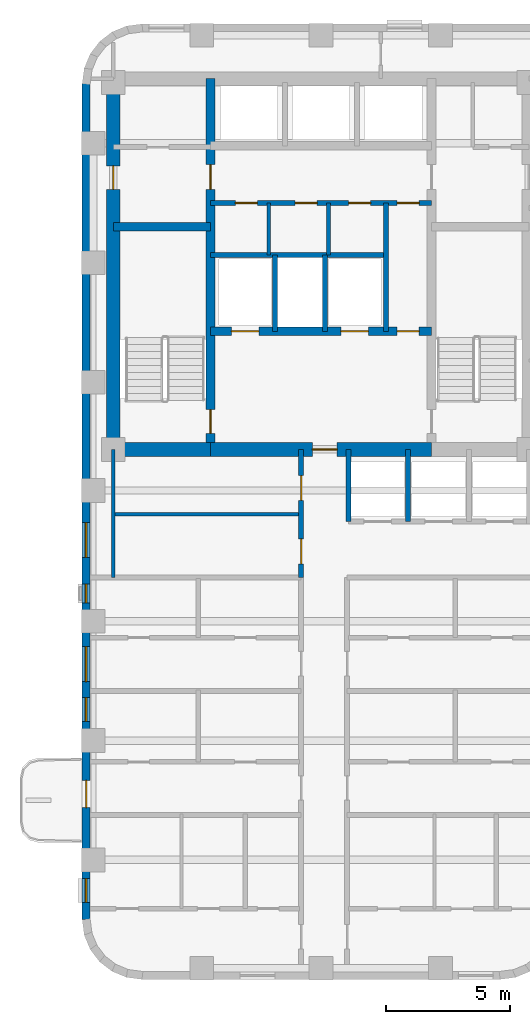
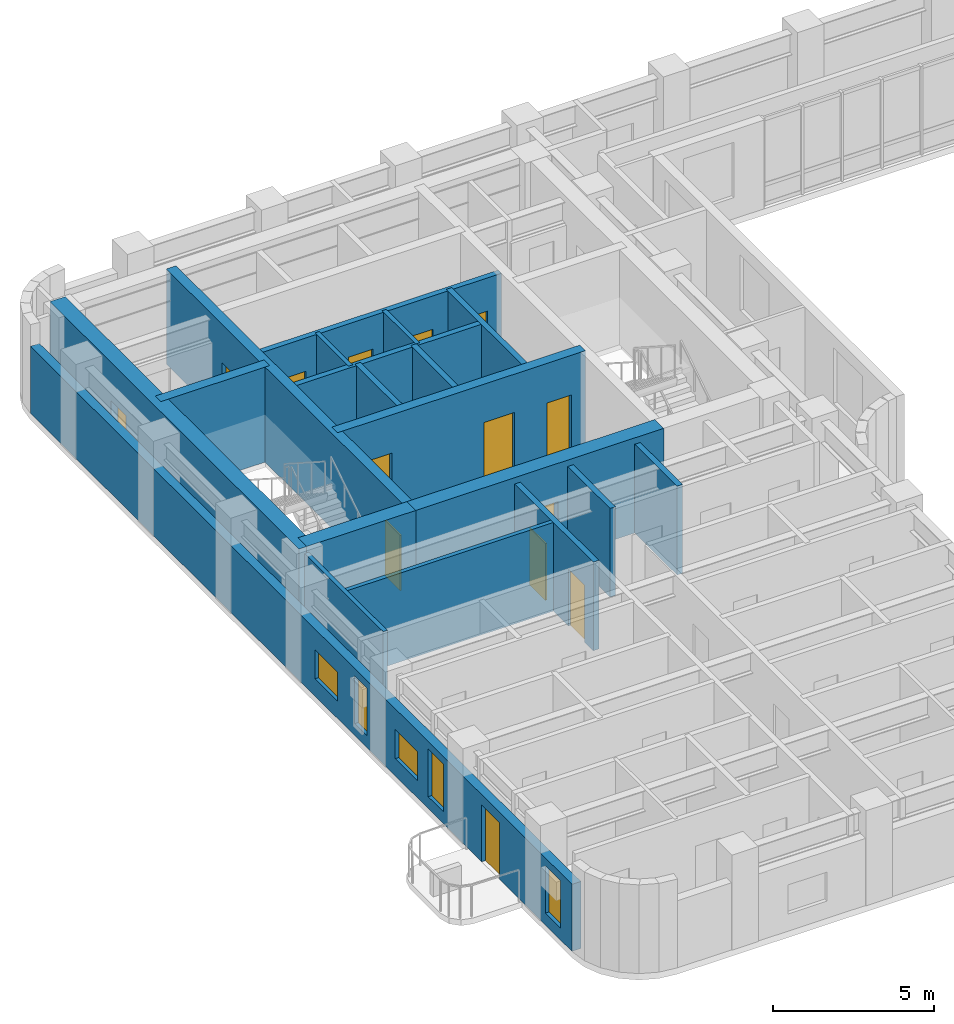
# One storey, part 5 of 11: 19 walls, 14 doors, 5 windows, 19 openings.
"""IFC4 building model written with IfcOpenShell, lengths in metres."""

from ifc_helpers import new_model, si_unit, direction, frame, frame_2d, origin, place, context, subcontext, project, spatial, rectangle, extrude, material, layer, layer_set, type_object, element, fill, save


model = new_model("IFC4")

# Units and contexts
model_context = context("Model", 3, precision=1e-05, world=origin(), true_north=direction((0.0, 1.0)))
body_context = subcontext(model_context, "Body", "Model", "MODEL_VIEW")
ifc_project = project(units=[si_unit("LENGTHUNIT", "METRE"), si_unit("AREAUNIT", "SQUARE_METRE"), si_unit("VOLUMEUNIT", "CUBIC_METRE"), si_unit("PLANEANGLEUNIT", "RADIAN"), si_unit("MASSUNIT", "GRAM", prefix="KILO")], contexts=[model_context])

# Site, building, storey
site_placement = place(None, origin())
site = spatial("IfcSite", under=ifc_project, at=site_placement, CompositionType="ELEMENT")
building_placement = place(site_placement, origin())
building = spatial("IfcBuilding", under=site, at=building_placement, Name="Orvandelia Arch Residences", CompositionType="ELEMENT")
storey_placement = place(building_placement, frame((0.0, 0.0, 172.0)))
storey = spatial("IfcBuildingStorey", under=building, at=storey_placement, Name="L45", CompositionType="ELEMENT", Elevation=172.0)

# Wall, openings, doors
ifc_material_1 = material(Name="Concrete C50/60", Category="concrete")
ifc_layer_1 = layer(ifc_material_1, 0.35009765625, Name="Concrete C50/60", Category="concrete")
ifc_layer_set_1 = layer_set([ifc_layer_1], Name="Concrete C50/60")
wall_type_1 = type_object("IfcWallType", Name="WL-CORE-350", PredefinedType="SHEAR", material=ifc_layer_set_1)
wall_1_placement = place(storey_placement, frame((9.9599609375, 30.89990234375, 0.0), z_axis=(0.0, 0.0, 1.0), x_axis=(0.0, 1.0, 0.0)))
wall_1 = element("IfcWall", 1, at=wall_1_placement, inside=storey, type_object=wall_type_1, Name="Core Shear Wall L45-WEB1", PredefinedType="SHEAR", context=body_context, shape_type="SweptSolid", body=[
    extrude(rectangle(XDim=14.900146484375, YDim=0.35009765625, at=frame_2d((7.4501953125, 0.0))), origin(), (0.0, 0.0, 1.0), 3.60009765625),
])
opening_1_placement = place(wall_1_placement, frame((0.64990234375, 0.0, 0.0)))
opening_1 = element("IfcOpeningElement", 2, at=opening_1_placement, cuts=wall_1, Name="Opening D7", PredefinedType="OPENING", context=body_context, shape_type="SweptSolid", body=[
    extrude(rectangle(XDim=0.949951171875, YDim=2.10009765625, at=frame_2d((0.47509765625, 1.050048828125))), frame((0.0, 0.18505859375, 0.0), z_axis=(0.0, -1.0, 0.0), x_axis=(1.0, 0.0, 0.0)), (0.0, 0.0, 1.0), 0.3701171875),
])
opening_2_placement = place(wall_1_placement, frame((10.449951171875, 0.0, 0.0)))
opening_2 = element("IfcOpeningElement", 3, at=opening_2_placement, cuts=wall_1, Name="Opening D6", PredefinedType="OPENING", context=body_context, shape_type="SweptSolid", body=[
    extrude(rectangle(XDim=1.0, YDim=2.14990234375, at=frame_2d((0.5, 1.074951171875))), frame((0.0, 0.18505859375, 0.0), z_axis=(0.0, -1.0, 0.0), x_axis=(1.0, 0.0, 0.0)), (0.0, 0.0, 1.0), 0.3701171875),
])
ifc_material_2 = material(Name="Smokeproof Painted Steel Fire Door", Category="steel")
door_type_1 = type_object("IfcDoorType", Name="DR-FD60-1000", OperationType="NOTDEFINED", PredefinedType="DOOR", material=ifc_material_2)
door_1_placement = place(opening_2_placement, origin())
door_1 = element("IfcDoor", 4, at=door_1_placement, inside=storey, type_object=door_type_1, Name="High-Rise Lift Hall West Vestibule Door L45", OperationType="SINGLE_SWING_LEFT", OverallHeight=2.14990234375, OverallWidth=1.0, PredefinedType="DOOR", context=body_context, shape_type="SweptSolid", body=[
    extrude(rectangle(XDim=1.0, YDim=2.14990234375, at=frame_2d((0.5, 1.074951171875))), frame((0.0, 0.02490234375, 0.0), z_axis=(0.0, -1.0, 0.0), x_axis=(1.0, 0.0, 0.0)), (0.0, 0.0, 1.0), 0.050048828125),
])
fill(opening_2, door_1)
ifc_material_3 = material(Name="Pressurised Stairwell Fire Door")
door_type_2 = type_object("IfcDoorType", Name="DR-STAIR-950", OperationType="NOTDEFINED", PredefinedType="DOOR", material=ifc_material_3)
door_2_placement = place(opening_1_placement, origin())
door_2 = element("IfcDoor", 5, at=door_2_placement, inside=storey, type_object=door_type_2, Name="Stairwell ST-1 Fire Door L45", OperationType="SINGLE_SWING_LEFT", OverallHeight=2.10009765625, OverallWidth=0.949951171875, PredefinedType="DOOR", context=body_context, shape_type="SweptSolid", body=[
    extrude(rectangle(XDim=0.949951171875, YDim=2.10009765625, at=frame_2d((0.47509765625, 1.050048828125))), frame((0.0, 0.02490234375, 0.0), z_axis=(0.0, -1.0, 0.0), x_axis=(1.0, 0.0, 0.0)), (0.0, 0.0, 1.0), 0.050048828125),
])
fill(opening_1, door_2)

# Wall
wall_2_placement = place(storey_placement, frame((6.050048828125, 39.85009765625, 0.0), z_axis=(0.0, 0.0, 1.0), x_axis=(1.0, 0.0, 0.0)))
element("IfcWall", 6, at=wall_2_placement, inside=storey, type_object=wall_type_1, Name="Core Shear Wall L45-HZ1", PredefinedType="SHEAR", context=body_context, shape_type="SweptSolid", body=[
    extrude(rectangle(XDim=3.909912109375, YDim=0.35009765625, at=frame_2d((1.955078125, 0.0))), origin(), (0.0, 0.0, 1.0), 3.60009765625),
])

# Wall, openings, doors
wall_3_placement = place(storey_placement, frame((9.9599609375, 35.64990234375, 0.0), z_axis=(0.0, 0.0, 1.0), x_axis=(1.0, 0.0, 0.0)))
wall_3 = element("IfcWall", 7, at=wall_3_placement, inside=storey, type_object=wall_type_1, Name="Core Shear Wall L45-HZ3", PredefinedType="SHEAR", context=body_context, shape_type="SweptSolid", body=[
    extrude(rectangle(XDim=8.880126953125, YDim=0.35009765625, at=frame_2d((4.43994140625, 0.0))), origin(), (0.0, 0.0, 1.0), 3.60009765625),
])
opening_3_placement = place(wall_3_placement, frame((0.840087890625, 0.0, 0.0)))
opening_3 = element("IfcOpeningElement", 8, at=opening_3_placement, cuts=wall_3, Name="Opening FLD", PredefinedType="OPENING", context=body_context, shape_type="SweptSolid", body=[
    extrude(rectangle(XDim=1.10009765625, YDim=2.14990234375, at=frame_2d((0.550048828125, 1.074951171875))), frame((0.0, 0.18505859375, 0.0), z_axis=(0.0, -1.0, 0.0), x_axis=(1.0, 0.0, 0.0)), (0.0, 0.0, 1.0), 0.3701171875),
])
opening_4_placement = place(wall_3_placement, frame((5.239990234375, 0.0, 0.0)))
opening_4 = element("IfcOpeningElement", 9, at=opening_4_placement, cuts=wall_3, Name="Opening FLD", PredefinedType="OPENING", context=body_context, shape_type="SweptSolid", body=[
    extrude(rectangle(XDim=1.10009765625, YDim=2.14990234375, at=frame_2d((0.550048828125, 1.074951171875))), frame((0.0, 0.18505859375, 0.0), z_axis=(0.0, -1.0, 0.0), x_axis=(1.0, 0.0, 0.0)), (0.0, 0.0, 1.0), 0.3701171875),
])
opening_5_placement = place(wall_3_placement, frame((7.5, 0.0, 0.0)))
opening_5 = element("IfcOpeningElement", 10, at=opening_5_placement, cuts=wall_3, Name="Opening D5", PredefinedType="OPENING", context=body_context, shape_type="SweptSolid", body=[
    extrude(rectangle(XDim=0.8798828125, YDim=2.10009765625, at=frame_2d((0.43994140625, 1.050048828125))), frame((0.0, 0.18505859375, 0.0), z_axis=(0.0, -1.0, 0.0), x_axis=(1.0, 0.0, 0.0)), (0.0, 0.0, 1.0), 0.3701171875),
])
ifc_material_4 = material(Name="Firefighting Lift Stainless Sliding Door")
door_type_3 = type_object("IfcDoorType", Name="DR-FLFT-1100", OperationType="NOTDEFINED", PredefinedType="DOOR", material=ifc_material_4)
door_3_placement = place(opening_3_placement, origin())
door_3 = element("IfcDoor", 11, at=door_3_placement, inside=storey, type_object=door_type_3, Name="Firefighting Lift Landing Door FLD-FL1-L45", OperationType="SLIDING_TO_LEFT", OverallHeight=2.14990234375, OverallWidth=1.10009765625, PredefinedType="DOOR", context=body_context, shape_type="SweptSolid", body=[
    extrude(rectangle(XDim=1.10009765625, YDim=2.14990234375, at=frame_2d((0.550048828125, 1.074951171875))), frame((0.0, 0.02490234375, 0.0), z_axis=(0.0, -1.0, 0.0), x_axis=(1.0, 0.0, 0.0)), (0.0, 0.0, 1.0), 0.050048828125),
])
fill(opening_3, door_3)
door_4_placement = place(opening_4_placement, origin())
door_4 = element("IfcDoor", 12, at=door_4_placement, inside=storey, type_object=door_type_3, Name="Firefighting Lift Landing Door FLD-FL2-L45", OperationType="SLIDING_TO_RIGHT", OverallHeight=2.14990234375, OverallWidth=1.10009765625, PredefinedType="DOOR", context=body_context, shape_type="SweptSolid", body=[
    extrude(rectangle(XDim=1.10009765625, YDim=2.14990234375, at=frame_2d((0.550048828125, 1.074951171875))), frame((0.0, 0.02490234375, 0.0), z_axis=(0.0, -1.0, 0.0), x_axis=(1.0, 0.0, 0.0)), (0.0, 0.0, 1.0), 0.050048828125),
])
fill(opening_4, door_4)
ifc_material_5 = material(Name="Painted Galvanised Steel Service Door", Category="steel")
door_type_4 = type_object("IfcDoorType", Name="DR-SRV-880", OperationType="NOTDEFINED", PredefinedType="DOOR", material=ifc_material_5)
door_5_placement = place(opening_5_placement, origin())
door_5 = element("IfcDoor", 13, at=door_5_placement, inside=storey, type_object=door_type_4, Name="Core Stairway Passage South Fire Door L45", OperationType="SINGLE_SWING_LEFT", OverallHeight=2.10009765625, OverallWidth=0.8798828125, PredefinedType="DOOR", context=body_context, shape_type="SweptSolid", body=[
    extrude(rectangle(XDim=0.8798828125, YDim=2.10009765625, at=frame_2d((0.43994140625, 1.050048828125))), frame((0.0, 0.02490234375, 0.0), z_axis=(0.0, -1.0, 0.0), x_axis=(1.0, 0.0, 0.0)), (0.0, 0.0, 1.0), 0.050048828125),
])
fill(opening_5, door_5)

# Wall, opening, door
ifc_material_6 = material(Name="Concrete C60/75", Category="concrete")
ifc_layer_2 = layer(ifc_material_6, 0.550048828125, Name="Concrete C60/75", Category="concrete")
ifc_layer_set_2 = layer_set([ifc_layer_2], Name="Concrete C60/75")
wall_type_2 = type_object("IfcWallType", Name="WL-CORE-550", PredefinedType="SHEAR", material=ifc_layer_set_2)
wall_4_placement = place(storey_placement, frame((6.050048828125, 30.625, 0.0), z_axis=(0.0, 0.0, 1.0), x_axis=(0.0, 1.0, 0.0)))
wall_4 = element("IfcWall", 14, at=wall_4_placement, inside=storey, type_object=wall_type_2, Name="Core Shear Wall L45-W", PredefinedType="SHEAR", context=body_context, shape_type="SweptSolid", body=[
    extrude(rectangle(XDim=15.449951171875, YDim=0.550048828125, at=frame_2d((7.72509765625, 0.0))), origin(), (0.0, 0.0, 1.0), 3.60009765625),
])
opening_6_placement = place(wall_4_placement, frame((10.72509765625, 0.0, 0.0)))
opening_6 = element("IfcOpeningElement", 15, at=opening_6_placement, cuts=wall_4, Name="Opening D2", PredefinedType="OPENING", context=body_context, shape_type="SweptSolid", body=[
    extrude(rectangle(XDim=0.949951171875, YDim=2.14990234375, at=frame_2d((0.47509765625, 1.074951171875))), frame((0.0, 0.28515625, 0.0), z_axis=(0.0, -1.0, 0.0), x_axis=(1.0, 0.0, 0.0)), (0.0, 0.0, 1.0), 0.570068359375),
])
ifc_material_7 = material(Name="Solid-Core Timber Interior Fire Door", Category="wood")
door_type_5 = type_object("IfcDoorType", Name="DR-APT-950", OperationType="NOTDEFINED", PredefinedType="DOOR", material=ifc_material_7)
door_6_placement = place(opening_6_placement, origin())
door_6 = element("IfcDoor", 16, at=door_6_placement, inside=storey, type_object=door_type_5, Name="West Viewing Study Door L45", OperationType="SINGLE_SWING_RIGHT", OverallHeight=2.14990234375, OverallWidth=0.949951171875, PredefinedType="DOOR", context=body_context, shape_type="SweptSolid", body=[
    extrude(rectangle(XDim=0.949951171875, YDim=2.14990234375, at=frame_2d((0.47509765625, 1.074951171875))), frame((0.0, 0.02490234375, 0.0), z_axis=(0.0, -1.0, 0.0), x_axis=(1.0, 0.0, 0.0)), (0.0, 0.0, 1.0), 0.050048828125),
])
fill(opening_6, door_6)

# Wall
wall_5_placement = place(storey_placement, frame((6.050048828125, 30.89990234375, 0.0), z_axis=(0.0, 0.0, 1.0), x_axis=(1.0, 0.0, 0.0)))
element("IfcWall", 17, at=wall_5_placement, inside=storey, type_object=wall_type_2, Name="Core Shear Wall L45-SW", PredefinedType="SHEAR", context=body_context, shape_type="SweptSolid", body=[
    extrude(rectangle(XDim=3.909912109375, YDim=0.550048828125, at=frame_2d((1.955078125, 0.0))), origin(), (0.0, 0.0, 1.0), 3.60009765625),
])

# Wall, opening, door
wall_6_placement = place(storey_placement, frame((9.9599609375, 30.89990234375, 0.0), z_axis=(0.0, 0.0, 1.0), x_axis=(1.0, 0.0, 0.0)))
wall_6 = element("IfcWall", 18, at=wall_6_placement, inside=storey, type_object=wall_type_2, Name="Core Shear Wall L45-SM", PredefinedType="SHEAR", context=body_context, shape_type="SweptSolid", body=[
    extrude(rectangle(XDim=8.880126953125, YDim=0.550048828125, at=frame_2d((4.43994140625, 0.0))), origin(), (0.0, 0.0, 1.0), 3.60009765625),
])
opening_7_placement = place(wall_6_placement, frame((4.090087890625, 0.0, 0.0)))
opening_7 = element("IfcOpeningElement", 19, at=opening_7_placement, cuts=wall_6, Name="Opening D6", PredefinedType="OPENING", context=body_context, shape_type="SweptSolid", body=[
    extrude(rectangle(XDim=1.0, YDim=2.14990234375, at=frame_2d((0.5, 1.074951171875))), frame((0.0, 0.28515625, 0.0), z_axis=(0.0, -1.0, 0.0), x_axis=(1.0, 0.0, 0.0)), (0.0, 0.0, 1.0), 0.570068359375),
])
door_7_placement = place(opening_7_placement, origin())
door_7 = element("IfcDoor", 20, at=door_7_placement, inside=storey, type_object=door_type_1, Name="Firefighting Lobby Smokeproof Door L45", OperationType="SINGLE_SWING_LEFT", OverallHeight=2.14990234375, OverallWidth=1.0, PredefinedType="DOOR", context=body_context, shape_type="SweptSolid", body=[
    extrude(rectangle(XDim=1.0, YDim=2.14990234375, at=frame_2d((0.5, 1.074951171875))), frame((0.0, 0.02490234375, 0.0), z_axis=(0.0, -1.0, 0.0), x_axis=(1.0, 0.0, 0.0)), (0.0, 0.0, 1.0), 0.050048828125),
])
fill(opening_7, door_7)

# Wall, openings, door, windows
ifc_material_8 = material(Name="Precast concrete C40/50", Category="concrete")
ifc_layer_3 = layer(ifc_material_8, 0.320068359375, Name="Precast concrete C40/50", Category="concrete")
ifc_layer_set_3 = layer_set([ifc_layer_3], Name="Precast concrete C40/50")
wall_type_3 = type_object("IfcWallType", Name="WL-EXT-STONE-320", PredefinedType="STANDARD", material=ifc_layer_set_3)
wall_7_placement = place(storey_placement, frame((4.9599609375, 12.0, 0.0), z_axis=(0.0, 0.0, 1.0), x_axis=(0.0, 1.0, 0.0)))
wall_7 = element("IfcWall", 21, at=wall_7_placement, inside=storey, type_object=wall_type_3, Name="Coral-Limestone Precast Facade Wall L45-046", PredefinedType="STANDARD", context=body_context, shape_type="SweptSolid", body=[
    extrude(rectangle(XDim=33.60009765625, YDim=0.320068359375, at=frame_2d((16.800048828125, 0.0))), origin(), (0.0, 0.0, 1.0), 2.5400390625),
])
opening_8_placement = place(wall_7_placement, frame((4.5, 0.0, 0.0)))
opening_8 = element("IfcOpeningElement", 22, at=opening_8_placement, cuts=wall_7, Name="Opening BD1", PredefinedType="OPENING", context=body_context, shape_type="SweptSolid", body=[
    extrude(rectangle(XDim=1.10009765625, YDim=2.14990234375, at=frame_2d((0.550048828125, 1.074951171875))), frame((0.0, 0.169921875, 0.0), z_axis=(0.0, -1.0, 0.0), x_axis=(1.0, 0.0, 0.0)), (0.0, 0.0, 1.0), 0.340087890625),
])
opening_9_placement = place(wall_7_placement, frame((0.699462890625, 0.0, 0.449951171875)))
opening_9 = element("IfcOpeningElement", 23, at=opening_9_placement, cuts=wall_7, Name="Opening W4", PredefinedType="OPENING", context=body_context, shape_type="SweptSolid", body=[
    extrude(rectangle(XDim=0.949951171875, YDim=1.800048828125, at=frame_2d((0.47509765625, 0.89990234375))), frame((0.0, 0.169921875, 0.0), z_axis=(0.0, -1.0, 0.0), x_axis=(1.0, 0.0, 0.0)), (0.0, 0.0, 1.0), 0.340087890625),
])
opening_10_placement = place(wall_7_placement, frame((9.570068359375, 0.0, 0.64990234375)))
opening_10 = element("IfcOpeningElement", 24, at=opening_10_placement, cuts=wall_7, Name="Opening W10", PredefinedType="OPENING", context=body_context, shape_type="SweptSolid", body=[
    extrude(rectangle(XDim=1.39990234375, YDim=1.10009765625, at=frame_2d((0.699951171875, 0.550048828125))), frame((0.0, 0.169921875, 0.0), z_axis=(0.0, -1.0, 0.0), x_axis=(1.0, 0.0, 0.0)), (0.0, 0.0, 1.0), 0.340087890625),
])
opening_11_placement = place(wall_7_placement, frame((7.972412109375, 0.0, 0.449951171875)))
opening_11 = element("IfcOpeningElement", 25, at=opening_11_placement, cuts=wall_7, Name="Opening W4", PredefinedType="OPENING", context=body_context, shape_type="SweptSolid", body=[
    extrude(rectangle(XDim=0.949951171875, YDim=1.800048828125, at=frame_2d((0.47509765625, 0.89990234375))), frame((0.0, 0.169921875, 0.0), z_axis=(0.0, -1.0, 0.0), x_axis=(1.0, 0.0, 0.0)), (0.0, 0.0, 1.0), 0.340087890625),
])
opening_12_placement = place(wall_7_placement, frame((12.732421875, 0.0, 0.449951171875)))
opening_12 = element("IfcOpeningElement", 26, at=opening_12_placement, cuts=wall_7, Name="Opening W11", PredefinedType="OPENING", context=body_context, shape_type="SweptSolid", body=[
    extrude(rectangle(XDim=0.75, YDim=1.800048828125, at=frame_2d((0.375, 0.89990234375))), frame((0.0, 0.169921875, 0.0), z_axis=(0.0, -1.0, 0.0), x_axis=(1.0, 0.0, 0.0)), (0.0, 0.0, 1.0), 0.340087890625),
])
opening_13_placement = place(wall_7_placement, frame((14.5576171875, 0.0, 0.64990234375)))
opening_13 = element("IfcOpeningElement", 27, at=opening_13_placement, cuts=wall_7, Name="Opening W10", PredefinedType="OPENING", context=body_context, shape_type="SweptSolid", body=[
    extrude(rectangle(XDim=1.39990234375, YDim=1.10009765625, at=frame_2d((0.699951171875, 0.550048828125))), frame((0.0, 0.169921875, 0.0), z_axis=(0.0, -1.0, 0.0), x_axis=(1.0, 0.0, 0.0)), (0.0, 0.0, 1.0), 0.340087890625),
])
ifc_material_9 = material(Name="Thermally Broken Aluminium Glazed Door", Category="aluminium")
door_type_6 = type_object("IfcDoorType", Name="DR-BAL-GLAZ-1100", OperationType="NOTDEFINED", PredefinedType="DOOR", material=ifc_material_9)
door_8_placement = place(opening_8_placement, origin())
door_8 = element("IfcDoor", 28, at=door_8_placement, inside=storey, type_object=door_type_6, Name="Tree Balcony Glazed Door BAL-L45-W1", OperationType="SINGLE_SWING_RIGHT", OverallHeight=2.14990234375, OverallWidth=1.10009765625, PredefinedType="DOOR", context=body_context, shape_type="SweptSolid", body=[
    extrude(rectangle(XDim=1.10009765625, YDim=2.14990234375, at=frame_2d((0.550048828125, 1.074951171875))), frame((0.0, 0.02490234375, 0.0), z_axis=(0.0, -1.0, 0.0), x_axis=(1.0, 0.0, 0.0)), (0.0, 0.0, 1.0), 0.050048828125),
])
fill(opening_8, door_8)
ifc_material_10 = material(Name="Tempered Low-E Insulated Glazing", Category="glass")
window_type_1 = type_object("IfcWindowType", Name="WIN-BED-0750x1800", PartitioningType="SINGLE_PANEL", PredefinedType="WINDOW", material=ifc_material_10)
window_1_placement = place(opening_12_placement, origin())
window_1 = element("IfcWindow", 29, at=window_1_placement, inside=storey, type_object=window_type_1, Name="Recessed Punched Window L45-027", OverallHeight=1.800048828125, OverallWidth=0.75, PartitioningType="SINGLE_PANEL", PredefinedType="WINDOW", context=body_context, shape_type="SweptSolid", body=[
    extrude(rectangle(XDim=0.75, YDim=1.800048828125, at=frame_2d((0.375, 0.89990234375))), frame((0.0, 0.030029296875, 0.0), z_axis=(0.0, -1.0, 0.0), x_axis=(1.0, 0.0, 0.0)), (0.0, 0.0, 1.0), 0.06005859375),
])
fill(opening_12, window_1)
window_type_2 = type_object("IfcWindowType", Name="WIN-CLR-1400x1100", PartitioningType="SINGLE_PANEL", PredefinedType="WINDOW", material=ifc_material_10)
window_2_placement = place(opening_10_placement, origin())
window_2 = element("IfcWindow", 30, at=window_2_placement, inside=storey, type_object=window_type_2, Name="Recessed Punched Window L45-025", OverallHeight=1.10009765625, OverallWidth=1.39990234375, PartitioningType="SINGLE_PANEL", PredefinedType="WINDOW", context=body_context, shape_type="SweptSolid", body=[
    extrude(rectangle(XDim=1.39990234375, YDim=1.10009765625, at=frame_2d((0.699951171875, 0.550048828125))), frame((0.0, 0.030029296875, 0.0), z_axis=(0.0, -1.0, 0.0), x_axis=(1.0, 0.0, 0.0)), (0.0, 0.0, 1.0), 0.06005859375),
])
fill(opening_10, window_2)
window_3_placement = place(opening_13_placement, origin())
window_3 = element("IfcWindow", 31, at=window_3_placement, inside=storey, type_object=window_type_2, Name="Recessed Punched Window L45-028", OverallHeight=1.10009765625, OverallWidth=1.39990234375, PartitioningType="SINGLE_PANEL", PredefinedType="WINDOW", context=body_context, shape_type="SweptSolid", body=[
    extrude(rectangle(XDim=1.39990234375, YDim=1.10009765625, at=frame_2d((0.699951171875, 0.550048828125))), frame((0.0, 0.030029296875, 0.0), z_axis=(0.0, -1.0, 0.0), x_axis=(1.0, 0.0, 0.0)), (0.0, 0.0, 1.0), 0.06005859375),
])
fill(opening_13, window_3)
window_type_3 = type_object("IfcWindowType", Name="WIN-RES-0950x1800", PartitioningType="SINGLE_PANEL", PredefinedType="WINDOW", material=ifc_material_10)
window_4_placement = place(opening_9_placement, origin())
window_4 = element("IfcWindow", 32, at=window_4_placement, inside=storey, type_object=window_type_3, Name="Recessed Punched Window L45-024", OverallHeight=1.800048828125, OverallWidth=0.949951171875, PartitioningType="SINGLE_PANEL", PredefinedType="WINDOW", context=body_context, shape_type="SweptSolid", body=[
    extrude(rectangle(XDim=0.949951171875, YDim=1.800048828125, at=frame_2d((0.47509765625, 0.89990234375))), frame((0.0, 0.030029296875, 0.0), z_axis=(0.0, -1.0, 0.0), x_axis=(1.0, 0.0, 0.0)), (0.0, 0.0, 1.0), 0.06005859375),
])
fill(opening_9, window_4)
window_5_placement = place(opening_11_placement, origin())
window_5 = element("IfcWindow", 33, at=window_5_placement, inside=storey, type_object=window_type_3, Name="Recessed Punched Window L45-026", OverallHeight=1.800048828125, OverallWidth=0.949951171875, PartitioningType="SINGLE_PANEL", PredefinedType="WINDOW", context=body_context, shape_type="SweptSolid", body=[
    extrude(rectangle(XDim=0.949951171875, YDim=1.800048828125, at=frame_2d((0.47509765625, 0.89990234375))), frame((0.0, 0.030029296875, 0.0), z_axis=(0.0, -1.0, 0.0), x_axis=(1.0, 0.0, 0.0)), (0.0, 0.0, 1.0), 0.06005859375),
])
fill(opening_11, window_5)

# Walls
ifc_material_11 = material(Name="Acoustic Gypsum Stud Partition")
ifc_layer_4 = layer(ifc_material_11, 0.14990234375, Name="Acoustic Gypsum Stud Partition")
ifc_layer_set_4 = layer_set([ifc_layer_4], Name="Acoustic Gypsum Stud Partition")
wall_type_4 = type_object("IfcWallType", Name="WL-PART-150", PredefinedType="PARTITIONING", material=ifc_layer_set_4)
for number, where, z_axis, x_axis, name in (
    (34, (12.300048828125, 38.719970703125, 0.0), (0.0, 0.0, 1.0), (0.0, 1.0, 0.0), "Interior Partition Wall WL-L45-CSA-1"),
    (35, (14.699951171875, 38.719970703125, 0.0), (0.0, 0.0, 1.0), (0.0, 1.0, 0.0), "Interior Partition Wall WL-L45-CSA-2"),
):
    element("IfcWall", number, at=place(storey_placement, frame(where, z_axis=z_axis, x_axis=x_axis)), inside=storey, type_object=wall_type_4, Name=name, PredefinedType="PARTITIONING", context=body_context, shape_type="SweptSolid", body=[
        extrude(rectangle(XDim=2.080078125, YDim=0.14990234375, at=frame_2d((1.0400390625, 0.0))), origin(), (0.0, 0.0, 1.0), 3.360107421875),
    ])
wall_8_placement = place(storey_placement, frame((6.050048828125, 25.75, 0.0), z_axis=(0.0, 0.0, 1.0), x_axis=(0.0, 1.0, 0.0)))
element("IfcWall", 36, at=wall_8_placement, inside=storey, type_object=wall_type_4, Name="Interior Partition Wall WL-L45-B1REUSE-W", PredefinedType="PARTITIONING", context=body_context, shape_type="SweptSolid", body=[
    extrude(rectangle(XDim=5.14990234375, YDim=0.14990234375, at=frame_2d((2.574951171875, 0.0))), origin(), (0.0, 0.0, 1.0), 3.360107421875),
])
wall_9_placement = place(storey_placement, frame((6.050048828125, 28.300048828125, 0.0), z_axis=(0.0, 0.0, 1.0), x_axis=(1.0, 0.0, 0.0)))
element("IfcWall", 37, at=wall_9_placement, inside=storey, type_object=wall_type_4, Name="Interior Partition Wall WL-L45-B1R-H", PredefinedType="PARTITIONING", context=body_context, shape_type="SweptSolid", body=[
    extrude(rectangle(XDim=7.550048828125, YDim=0.14990234375, at=frame_2d((3.77490234375, 0.0))), origin(), (0.0, 0.0, 1.0), 3.360107421875),
])
ifc_material_12 = material(Name="Fire-Rated Shaft Enclosure Wall")
ifc_layer_5 = layer(ifc_material_12, 0.199951171875, Name="Fire-Rated Shaft Enclosure Wall")
ifc_layer_set_5 = layer_set([ifc_layer_5], Name="Fire-Rated Shaft Enclosure Wall")
wall_type_5 = type_object("IfcWallType", Name="WL-SHAFT-200", PredefinedType="POLYGONAL", material=ifc_layer_set_5)
wall_10_placement = place(storey_placement, frame((9.9599609375, 38.719970703125, 0.0), z_axis=(0.0, 0.0, 1.0), x_axis=(1.0, 0.0, 0.0)))
element("IfcWall", 38, at=wall_10_placement, inside=storey, type_object=wall_type_5, Name="Interior Partition Wall WL-L45-FLN", PredefinedType="POLYGONAL", context=body_context, shape_type="SweptSolid", body=[
    extrude(rectangle(XDim=7.06005859375, YDim=0.199951171875, at=frame_2d((3.530029296875, 0.0))), origin(), (0.0, 0.0, 1.0), 3.360107421875),
])
for number, where, z_axis, x_axis, name in (
    (39, (12.550048828125, 35.64990234375, 0.0), (0.0, 0.0, 1.0), (0.0, 1.0, 0.0), "Interior Partition Wall WL-L45-FLM1"),
    (40, (14.550048828125, 35.64990234375, 0.0), (0.0, 0.0, 1.0), (0.0, 1.0, 0.0), "Interior Partition Wall WL-L45-FLM2"),
):
    element("IfcWall", number, at=place(storey_placement, frame(where, z_axis=z_axis, x_axis=x_axis)), inside=storey, type_object=wall_type_5, Name=name, PredefinedType="POLYGONAL", context=body_context, shape_type="SweptSolid", body=[
        extrude(rectangle(XDim=3.070068359375, YDim=0.199951171875, at=frame_2d((1.53515625, 0.0))), origin(), (0.0, 0.0, 1.0), 3.360107421875),
    ])
wall_11_placement = place(storey_placement, frame((17.02001953125, 35.64990234375, 0.0), z_axis=(0.0, 0.0, 1.0), x_axis=(0.0, 1.0, 0.0)))
element("IfcWall", 41, at=wall_11_placement, inside=storey, type_object=wall_type_5, Name="Interior Partition Wall WL-L45-FLM3", PredefinedType="POLYGONAL", context=body_context, shape_type="SweptSolid", body=[
    extrude(rectangle(XDim=5.150146484375, YDim=0.199951171875, at=frame_2d((2.5751953125, 0.0))), origin(), (0.0, 0.0, 1.0), 3.360107421875),
])

# Wall, openings, doors
wall_12_placement = place(storey_placement, frame((9.9599609375, 40.800048828125, 0.0), z_axis=(0.0, 0.0, 1.0), x_axis=(1.0, 0.0, 0.0)))
wall_12 = element("IfcWall", 42, at=wall_12_placement, inside=storey, type_object=wall_type_5, Name="Interior Partition Wall WL-L45-HLH-S", PredefinedType="POLYGONAL", context=body_context, shape_type="SweptSolid", body=[
    extrude(rectangle(XDim=8.880126953125, YDim=0.199951171875, at=frame_2d((4.43994140625, 0.0))), origin(), (0.0, 0.0, 1.0), 3.360107421875),
])
opening_14_placement = place(wall_12_placement, frame((7.5, 0.0, 0.0)))
opening_14 = element("IfcOpeningElement", 43, at=opening_14_placement, cuts=wall_12, Name="Opening D5", PredefinedType="OPENING", context=body_context, shape_type="SweptSolid", body=[
    extrude(rectangle(XDim=0.8798828125, YDim=2.10009765625, at=frame_2d((0.43994140625, 1.050048828125))), frame((0.0, 0.10986328125, 0.0), z_axis=(0.0, -1.0, 0.0), x_axis=(1.0, 0.0, 0.0)), (0.0, 0.0, 1.0), 0.219970703125),
])
opening_15_placement = place(wall_12_placement, frame((1.0, 0.0, 0.0)))
opening_15 = element("IfcOpeningElement", 44, at=opening_15_placement, cuts=wall_12, Name="Opening D5", PredefinedType="OPENING", context=body_context, shape_type="SweptSolid", body=[
    extrude(rectangle(XDim=0.8798828125, YDim=2.10009765625, at=frame_2d((0.43994140625, 1.050048828125))), frame((0.0, 0.10986328125, 0.0), z_axis=(0.0, -1.0, 0.0), x_axis=(1.0, 0.0, 0.0)), (0.0, 0.0, 1.0), 0.219970703125),
])
opening_16_placement = place(wall_12_placement, frame((3.39990234375, 0.0, 0.0)))
opening_16 = element("IfcOpeningElement", 45, at=opening_16_placement, cuts=wall_12, Name="Opening D5", PredefinedType="OPENING", context=body_context, shape_type="SweptSolid", body=[
    extrude(rectangle(XDim=0.8798828125, YDim=2.10009765625, at=frame_2d((0.43994140625, 1.050048828125))), frame((0.0, 0.10986328125, 0.0), z_axis=(0.0, -1.0, 0.0), x_axis=(1.0, 0.0, 0.0)), (0.0, 0.0, 1.0), 0.219970703125),
])
opening_17_placement = place(wall_12_placement, frame((5.550048828125, 0.0, 0.0)))
opening_17 = element("IfcOpeningElement", 46, at=opening_17_placement, cuts=wall_12, Name="Opening D5", PredefinedType="OPENING", context=body_context, shape_type="SweptSolid", body=[
    extrude(rectangle(XDim=0.8798828125, YDim=2.10009765625, at=frame_2d((0.43994140625, 1.050048828125))), frame((0.0, 0.10986328125, 0.0), z_axis=(0.0, -1.0, 0.0), x_axis=(1.0, 0.0, 0.0)), (0.0, 0.0, 1.0), 0.219970703125),
])
door_9_placement = place(opening_14_placement, origin())
door_9 = element("IfcDoor", 47, at=door_9_placement, inside=storey, type_object=door_type_4, Name="Core Stairway Passage North Fire Door L45", OperationType="SINGLE_SWING_RIGHT", OverallHeight=2.10009765625, OverallWidth=0.8798828125, PredefinedType="DOOR", context=body_context, shape_type="SweptSolid", body=[
    extrude(rectangle(XDim=0.8798828125, YDim=2.10009765625, at=frame_2d((0.43994140625, 1.050048828125))), frame((0.0, 0.02490234375, 0.0), z_axis=(0.0, -1.0, 0.0), x_axis=(1.0, 0.0, 0.0)), (0.0, 0.0, 1.0), 0.050048828125),
])
fill(opening_14, door_9)
door_10_placement = place(opening_15_placement, origin())
door_10 = element("IfcDoor", 48, at=door_10_placement, inside=storey, type_object=door_type_4, Name="DR-L45-CSA1", OperationType="SINGLE_SWING_LEFT", OverallHeight=2.10009765625, OverallWidth=0.8798828125, PredefinedType="DOOR", context=body_context, shape_type="SweptSolid", body=[
    extrude(rectangle(XDim=0.8798828125, YDim=2.10009765625, at=frame_2d((0.43994140625, 1.050048828125))), frame((0.0, 0.02490234375, 0.0), z_axis=(0.0, -1.0, 0.0), x_axis=(1.0, 0.0, 0.0)), (0.0, 0.0, 1.0), 0.050048828125),
])
fill(opening_15, door_10)
door_11_placement = place(opening_16_placement, origin())
door_11 = element("IfcDoor", 49, at=door_11_placement, inside=storey, type_object=door_type_4, Name="DR-L45-CSA2", OperationType="SINGLE_SWING_RIGHT", OverallHeight=2.10009765625, OverallWidth=0.8798828125, PredefinedType="DOOR", context=body_context, shape_type="SweptSolid", body=[
    extrude(rectangle(XDim=0.8798828125, YDim=2.10009765625, at=frame_2d((0.43994140625, 1.050048828125))), frame((0.0, 0.02490234375, 0.0), z_axis=(0.0, -1.0, 0.0), x_axis=(1.0, 0.0, 0.0)), (0.0, 0.0, 1.0), 0.050048828125),
])
fill(opening_16, door_11)
door_12_placement = place(opening_17_placement, origin())
door_12 = element("IfcDoor", 50, at=door_12_placement, inside=storey, type_object=door_type_4, Name="DR-L45-CSA3", OperationType="SINGLE_SWING_LEFT", OverallHeight=2.10009765625, OverallWidth=0.8798828125, PredefinedType="DOOR", context=body_context, shape_type="SweptSolid", body=[
    extrude(rectangle(XDim=0.8798828125, YDim=2.10009765625, at=frame_2d((0.43994140625, 1.050048828125))), frame((0.0, 0.02490234375, 0.0), z_axis=(0.0, -1.0, 0.0), x_axis=(1.0, 0.0, 0.0)), (0.0, 0.0, 1.0), 0.050048828125),
])
fill(opening_17, door_12)

wall_13_placement = place(storey_placement, frame((13.60009765625, 25.75, 0.0), z_axis=(0.0, 0.0, 1.0), x_axis=(0.0, 1.0, 0.0)))
wall_13 = element("IfcWall", 51, at=wall_13_placement, inside=storey, type_object=wall_type_5, Name="Interior Partition Wall WL-L45-B1REUSE-E", PredefinedType="POLYGONAL", context=body_context, shape_type="SweptSolid", body=[
    extrude(rectangle(XDim=5.14990234375, YDim=0.199951171875, at=frame_2d((2.574951171875, 0.0))), origin(), (0.0, 0.0, 1.0), 3.360107421875),
])
opening_18_placement = place(wall_13_placement, frame((0.550048828125, 0.0, 0.0)))
opening_18 = element("IfcOpeningElement", 52, at=opening_18_placement, cuts=wall_13, Name="Opening D6", PredefinedType="OPENING", context=body_context, shape_type="SweptSolid", body=[
    extrude(rectangle(XDim=1.0, YDim=2.14990234375, at=frame_2d((0.5, 1.074951171875))), frame((0.0, 0.10986328125, 0.0), z_axis=(0.0, -1.0, 0.0), x_axis=(1.0, 0.0, 0.0)), (0.0, 0.0, 1.0), 0.219970703125),
])
opening_19_placement = place(wall_13_placement, frame((3.10009765625, 0.0, 0.0)))
opening_19 = element("IfcOpeningElement", 53, at=opening_19_placement, cuts=wall_13, Name="Opening D6", PredefinedType="OPENING", context=body_context, shape_type="SweptSolid", body=[
    extrude(rectangle(XDim=1.0, YDim=2.14990234375, at=frame_2d((0.5, 1.074951171875))), frame((0.0, 0.10986328125, 0.0), z_axis=(0.0, -1.0, 0.0), x_axis=(1.0, 0.0, 0.0)), (0.0, 0.0, 1.0), 0.219970703125),
])
door_13_placement = place(opening_18_placement, origin())
door_13 = element("IfcDoor", 54, at=door_13_placement, inside=storey, type_object=door_type_1, Name="DR-L45-B1RS", OperationType="SINGLE_SWING_LEFT", OverallHeight=2.14990234375, OverallWidth=1.0, PredefinedType="DOOR", context=body_context, shape_type="SweptSolid", body=[
    extrude(rectangle(XDim=1.0, YDim=2.14990234375, at=frame_2d((0.5, 1.074951171875))), frame((0.0, 0.02490234375, 0.0), z_axis=(0.0, -1.0, 0.0), x_axis=(1.0, 0.0, 0.0)), (0.0, 0.0, 1.0), 0.050048828125),
])
fill(opening_18, door_13)
door_14_placement = place(opening_19_placement, origin())
door_14 = element("IfcDoor", 55, at=door_14_placement, inside=storey, type_object=door_type_1, Name="DR-L45-B1RN", OperationType="SINGLE_SWING_RIGHT", OverallHeight=2.14990234375, OverallWidth=1.0, PredefinedType="DOOR", context=body_context, shape_type="SweptSolid", body=[
    extrude(rectangle(XDim=1.0, YDim=2.14990234375, at=frame_2d((0.5, 1.074951171875))), frame((0.0, 0.02490234375, 0.0), z_axis=(0.0, -1.0, 0.0), x_axis=(1.0, 0.0, 0.0)), (0.0, 0.0, 1.0), 0.050048828125),
])
fill(opening_19, door_14)

# Walls
for number, where, z_axis, x_axis, name in (
    (56, (15.5, 28.0, 0.0), (0.0, 0.0, 1.0), (0.0, 1.0, 0.0), "Interior Partition Wall WL-L45-BNKM-W"),
    (57, (17.89990234375, 28.0, 0.0), (0.0, 0.0, 1.0), (0.0, 1.0, 0.0), "Interior Partition Wall WL-L45-BNKMD-1789"),
):
    element("IfcWall", number, at=place(storey_placement, frame(where, z_axis=z_axis, x_axis=x_axis)), inside=storey, type_object=wall_type_5, Name=name, PredefinedType="POLYGONAL", context=body_context, shape_type="SweptSolid", body=[
        extrude(rectangle(XDim=2.89990234375, YDim=0.199951171875, at=frame_2d((1.449951171875, 0.0))), origin(), (0.0, 0.0, 1.0), 3.360107421875),
    ])

save(model, "model.ifc")
